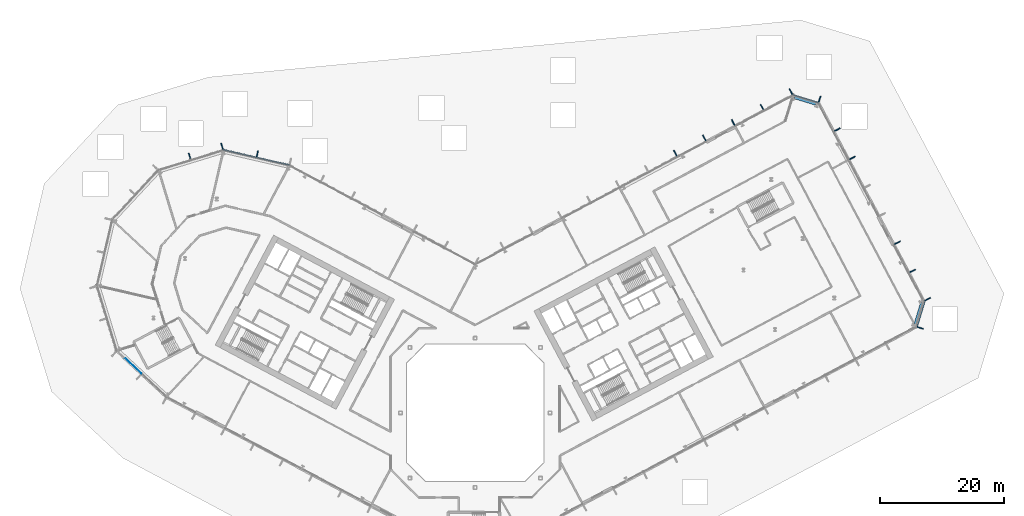
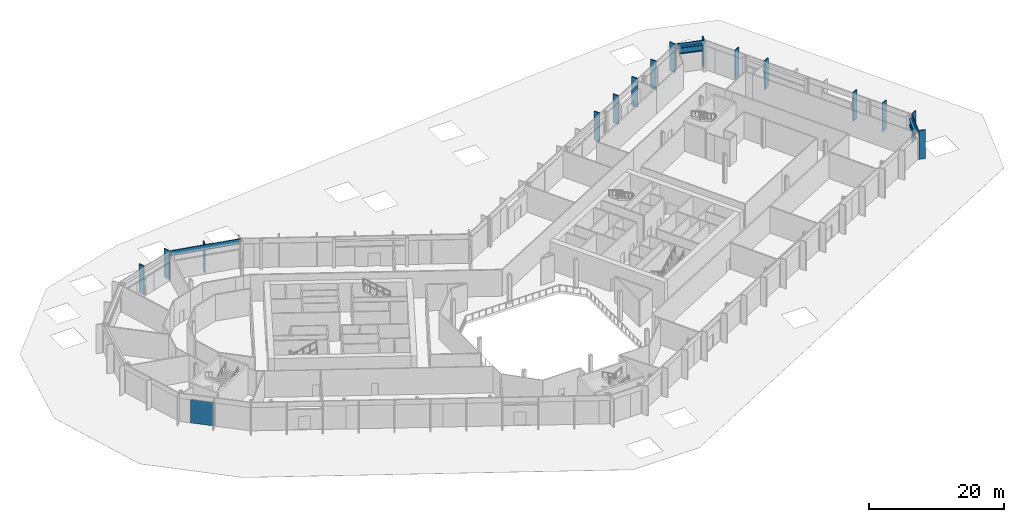
# One storey, part 8 of 30: 18 members, 2 beams, 1 plate, 7 elements without a shape of their own.
"""IFC4 building model written with IfcOpenShell, lengths in metres."""

from ifc_helpers import new_model, si_unit, direction, frame, origin, origin_2d, place, context, subcontext, project, spatial, rectangle, i_section, extrude, material, layer, layer_set, material_profile, profile_set, type_object, element, aggregate, save


model = new_model("IFC4")

# Units and contexts
model_context = context("Model", 3, precision=1e-05, world=origin(), true_north=direction((0.0, 1.0)))
body_context = subcontext(model_context, "Body", "Model", "MODEL_VIEW")
ifc_project = project(units=[si_unit("LENGTHUNIT", "METRE"), si_unit("AREAUNIT", "SQUARE_METRE"), si_unit("VOLUMEUNIT", "CUBIC_METRE"), si_unit("PLANEANGLEUNIT", "RADIAN"), si_unit("MASSUNIT", "GRAM", prefix="KILO")], contexts=[model_context])

# Site, building, storey
site_placement = place(None, origin())
site = spatial("IfcSite", under=ifc_project, at=site_placement, CompositionType="ELEMENT")
building_placement = place(site_placement, origin())
building = spatial("IfcBuilding", under=site, at=building_placement, Name="Cormorant Relay Tower", CompositionType="ELEMENT")
storey_placement = place(building_placement, frame((0.0, 0.0, 7.0)))
storey = spatial("IfcBuildingStorey", under=building, at=storey_placement, Name="L01", CompositionType="ELEMENT", Elevation=7.0)

# Curtain wall, member
ifc_material_1 = material(Name="Aluminium 6063-T6 anodised bronze", Category="aluminium")
ifc_layer_1 = layer(ifc_material_1, 0.235107421875)
ifc_layer_set_1 = layer_set([ifc_layer_1], Name="CW6 data hall curtain wall with mineral wool panels")
curtain_wall_type = type_object("IfcCurtainWallType", Name="CW6 data hall curtain wall with mineral wool panels", PredefinedType="NOTDEFINED", material=ifc_layer_set_1)
curtain_wall_1_placement = place(storey_placement, origin())
curtain_wall_1 = element("IfcCurtainWall", 1, at=curtain_wall_1_placement, inside=storey, type_object=curtain_wall_type, Name="CW6 curtain wall 3", PredefinedType="NOTDEFINED")
ifc_material_2 = material(Name="Aluminium 6063-T6 anodised bronze", Category="aluminium")
ifc_material_profile_1 = material_profile(ifc_material_2, rectangle(XDim=0.14990234375, YDim=1.0, at=origin_2d()), Name="AL 150x1000")
ifc_profile_set_1 = profile_set([ifc_material_profile_1], Name="Aluminium 6063-T6 anodised bronze")
member_type_1 = type_object("IfcMemberType", Name="CW6 bronze fin mullion 150 x 1000", PredefinedType="MULLION", material=ifc_profile_set_1)
member_1_placement = place(storey_placement, frame((71.485107421875, 13.63671875, 0.0), z_axis=(0.0, 0.0, 1.0), x_axis=(0.292371704723, 0.956304755963, 0.0)))
member_1 = element("IfcMember", 2, at=member_1_placement, type_object=member_type_1, Name="CW6 fin 3.1", PredefinedType="MULLION", context=body_context, shape_type="SweptSolid", body=[
    extrude(rectangle(XDim=0.14990234375, YDim=1.0, at=origin_2d()), origin(), (0.0, 0.0, 1.0), 5.199951171875),
])

# Curtain wall, members
curtain_wall_2_placement = place(storey_placement, origin())
curtain_wall_2 = element("IfcCurtainWall", 3, at=curtain_wall_2_placement, inside=storey, type_object=curtain_wall_type, Name="CW6 curtain wall 4", PredefinedType="NOTDEFINED")
member_2_placement = place(storey_placement, frame((72.671630859375, 18.25390625, 0.0), z_axis=(0.0, 0.0, 1.0), x_axis=(-0.469471562786, 0.882947592859, 0.0)))
member_2 = element("IfcMember", 4, at=member_2_placement, type_object=member_type_1, Name="CW6 fin 4.1", PredefinedType="MULLION", context=body_context, shape_type="SweptSolid", body=[
    extrude(rectangle(XDim=0.14990234375, YDim=1.0, at=origin_2d()), origin(), (0.0, 0.0, 1.0), 5.199951171875),
])
member_3_placement = place(storey_placement, frame((70.25732421875, 22.794921875, 0.0), z_axis=(0.0, 0.0, 1.0), x_axis=(-0.469471562786, 0.882947592859, 0.0)))
member_3 = element("IfcMember", 5, at=member_3_placement, type_object=member_type_1, Name="CW6 fin 4.2", PredefinedType="MULLION", context=body_context, shape_type="SweptSolid", body=[
    extrude(rectangle(XDim=0.14990234375, YDim=1.0, at=origin_2d()), origin(), (0.0, 0.0, 1.0), 5.199951171875),
])
member_4_placement = place(storey_placement, frame((67.8427734375, 27.335693359375, 0.0), z_axis=(0.0, 0.0, 1.0), x_axis=(-0.469471562786, 0.882947592859, 0.0)))
member_4 = element("IfcMember", 6, at=member_4_placement, type_object=member_type_1, Name="CW6 fin 4.3", PredefinedType="MULLION", context=body_context, shape_type="SweptSolid", body=[
    extrude(rectangle(XDim=0.14990234375, YDim=1.0, at=origin_2d()), origin(), (0.0, 0.0, 1.0), 5.199951171875),
])
member_5_placement = place(storey_placement, frame((60.599609375, 40.958251953125, 0.0), z_axis=(0.0, 0.0, 1.0), x_axis=(-0.469471562786, 0.882947592859, 0.0)))
member_5 = element("IfcMember", 7, at=member_5_placement, type_object=member_type_1, Name="CW6 fin 4.6", PredefinedType="MULLION", context=body_context, shape_type="SweptSolid", body=[
    extrude(rectangle(XDim=0.14990234375, YDim=1.0, at=origin_2d()), origin(), (0.0, 0.0, 1.0), 5.199951171875),
])
member_6_placement = place(storey_placement, frame((58.18505859375, 45.499267578125, 0.0), z_axis=(0.0, 0.0, 1.0), x_axis=(-0.469471562786, 0.882947592859, 0.0)))
member_6 = element("IfcMember", 8, at=member_6_placement, type_object=member_type_1, Name="CW6 fin 4.7", PredefinedType="MULLION", context=body_context, shape_type="SweptSolid", body=[
    extrude(rectangle(XDim=0.14990234375, YDim=1.0, at=origin_2d()), origin(), (0.0, 0.0, 1.0), 5.199951171875),
])
aggregate(curtain_wall_2, [member_2, member_3, member_4, member_5, member_6])

# Curtain wall, member
curtain_wall_3_placement = place(storey_placement, origin())
curtain_wall_3 = element("IfcCurtainWall", 9, at=curtain_wall_3_placement, inside=storey, type_object=curtain_wall_type, Name="CW6 curtain wall 5", PredefinedType="NOTDEFINED")
member_7_placement = place(storey_placement, frame((55.336669921875, 50.39794921875, 0.0), z_axis=(0.0, 0.0, 1.0), x_axis=(-0.956304755963, 0.292371704723, 0.0)))
member_7 = element("IfcMember", 10, at=member_7_placement, type_object=member_type_1, Name="CW6 fin 5.1", PredefinedType="MULLION", context=body_context, shape_type="SweptSolid", body=[
    extrude(rectangle(XDim=0.14990234375, YDim=1.0, at=origin_2d()), origin(), (0.0, 0.0, 1.0), 5.199951171875),
])

# Curtain wall, members
curtain_wall_4_placement = place(storey_placement, origin())
curtain_wall_4 = element("IfcCurtainWall", 11, at=curtain_wall_4_placement, inside=storey, type_object=curtain_wall_type, Name="CW6 curtain wall 6", PredefinedType="NOTDEFINED")
member_8_placement = place(storey_placement, frame((50.719482421875, 51.58447265625, 0.0), z_axis=(0.0, 0.0, 1.0), x_axis=(-0.882947592859, -0.469471562786, 0.0)))
member_8 = element("IfcMember", 12, at=member_8_placement, type_object=member_type_1, Name="CW6 fin 6.1", PredefinedType="MULLION", context=body_context, shape_type="SweptSolid", body=[
    extrude(rectangle(XDim=0.14990234375, YDim=1.0, at=origin_2d()), origin(), (0.0, 0.0, 1.0), 5.199951171875),
])
member_9_placement = place(storey_placement, frame((46.0771484375, 49.1162109375, 0.0), z_axis=(0.0, 0.0, 1.0), x_axis=(-0.882947592859, -0.469471562786, 0.0)))
member_9 = element("IfcMember", 13, at=member_9_placement, type_object=member_type_1, Name="CW6 fin 6.2", PredefinedType="MULLION", context=body_context, shape_type="SweptSolid", body=[
    extrude(rectangle(XDim=0.14990234375, YDim=1.0, at=origin_2d()), origin(), (0.0, 0.0, 1.0), 5.199951171875),
])
member_10_placement = place(storey_placement, frame((41.43505859375, 46.647705078125, 0.0), z_axis=(0.0, 0.0, 1.0), x_axis=(-0.882947592859, -0.469471562786, 0.0)))
member_10 = element("IfcMember", 14, at=member_10_placement, type_object=member_type_1, Name="CW6 fin 6.3", PredefinedType="MULLION", context=body_context, shape_type="SweptSolid", body=[
    extrude(rectangle(XDim=0.14990234375, YDim=1.0, at=origin_2d()), origin(), (0.0, 0.0, 1.0), 5.199951171875),
])
member_11_placement = place(storey_placement, frame((36.792724609375, 44.179443359375, 0.0), z_axis=(0.0, 0.0, 1.0), x_axis=(-0.882947592859, -0.469471562786, 0.0)))
member_11 = element("IfcMember", 15, at=member_11_placement, type_object=member_type_1, Name="CW6 fin 6.4", PredefinedType="MULLION", context=body_context, shape_type="SweptSolid", body=[
    extrude(rectangle(XDim=0.14990234375, YDim=1.0, at=origin_2d()), origin(), (0.0, 0.0, 1.0), 5.199951171875),
])
member_12_placement = place(storey_placement, frame((32.150390625, 41.711181640625, 0.0), z_axis=(0.0, 0.0, 1.0), x_axis=(-0.882947592859, -0.469471562786, 0.0)))
member_12 = element("IfcMember", 16, at=member_12_placement, type_object=member_type_1, Name="CW6 fin 6.5", PredefinedType="MULLION", context=body_context, shape_type="SweptSolid", body=[
    extrude(rectangle(XDim=0.14990234375, YDim=1.0, at=origin_2d()), origin(), (0.0, 0.0, 1.0), 5.199951171875),
])
aggregate(curtain_wall_4, [member_8, member_9, member_10, member_11, member_12])

# Curtain wall, member
curtain_wall_5_placement = place(storey_placement, origin())
curtain_wall_5 = element("IfcCurtainWall", 17, at=curtain_wall_5_placement, inside=storey, type_object=curtain_wall_type, Name="CW6 curtain wall 8", PredefinedType="NOTDEFINED")
member_13_placement = place(storey_placement, frame((-35.00439453125, 41.60693359375, 0.0), z_axis=(0.0, 0.0, 1.0), x_axis=(-0.974370064785, 0.224951054344, 0.0)))
member_13 = element("IfcMember", 18, at=member_13_placement, type_object=member_type_1, Name="CW6 fin 8.2", PredefinedType="MULLION", context=body_context, shape_type="SweptSolid", body=[
    extrude(rectangle(XDim=0.14990234375, YDim=1.0, at=origin_2d()), origin(), (0.0, 0.0, 1.0), 5.199951171875),
])

# Curtain wall, members
curtain_wall_6_placement = place(storey_placement, origin())
curtain_wall_6 = element("IfcCurtainWall", 19, at=curtain_wall_6_placement, inside=storey, type_object=curtain_wall_type, Name="CW6 curtain wall 9", PredefinedType="NOTDEFINED")
member_14_placement = place(storey_placement, frame((-40.680419921875, 42.81640625, 0.0), z_axis=(0.0, 0.0, 1.0), x_axis=(-0.956304755963, -0.292371704723, 0.0)))
member_14 = element("IfcMember", 20, at=member_14_placement, type_object=member_type_1, Name="CW6 fin 9.1", PredefinedType="MULLION", context=body_context, shape_type="SweptSolid", body=[
    extrude(rectangle(XDim=0.14990234375, YDim=1.0, at=origin_2d()), origin(), (0.0, 0.0, 1.0), 5.199951171875),
])
member_15_placement = place(storey_placement, frame((-45.878173828125, 41.227294921875, 0.0), z_axis=(0.0, 0.0, 1.0), x_axis=(-0.956304755963, -0.292371704723, 0.0)))
member_15 = element("IfcMember", 21, at=member_15_placement, type_object=member_type_1, Name="CW6 fin 9.2", PredefinedType="MULLION", context=body_context, shape_type="SweptSolid", body=[
    extrude(rectangle(XDim=0.14990234375, YDim=1.0, at=origin_2d()), origin(), (0.0, 0.0, 1.0), 5.199951171875),
])
aggregate(curtain_wall_6, [member_14, member_15])

# Member
ifc_material_3 = material(Name="Aluminium 6063-T6 anodised bronze", Category="aluminium")
ifc_material_profile_2 = material_profile(ifc_material_3, rectangle(XDim=0.159912109375, YDim=0.89990234375, at=origin_2d()), Name="AL 160x900")
ifc_profile_set_2 = profile_set([ifc_material_profile_2], Name="Aluminium 6063-T6 anodised bronze")
member_type_2 = type_object("IfcMemberType", Name="CW6 bronze transom 160 x 900", PredefinedType="USERDEFINED", material=ifc_profile_set_2)
member_16_placement = place(storey_placement, frame((70.930419921875, 13.806396484375, 4.75), z_axis=(0.292391046905, 0.95629884225, 0.0), x_axis=(-0.95629884225, 0.292391046905, 0.0)))
member_16 = element("IfcMember", 22, at=member_16_placement, type_object=member_type_2, Name="CW6 transom 3", ObjectType="TRANSOM", PredefinedType="USERDEFINED", context=body_context, shape_type="SweptSolid", body=[
    extrude(rectangle(XDim=0.159912109375, YDim=0.89990234375, at=origin_2d()), origin(), (0.0, 0.0, 1.0), 4.242431640625),
])

aggregate(curtain_wall_1, [member_1, member_16])

member_17_placement = place(storey_placement, frame((55.1669921875, 49.84326171875, 4.75), z_axis=(-0.95629884225, 0.292391046905, 0.0), x_axis=(-0.292391046905, -0.95629884225, 0.0)))
member_17 = element("IfcMember", 23, at=member_17_placement, type_object=member_type_2, Name="CW6 transom 5", ObjectType="TRANSOM", PredefinedType="USERDEFINED", context=body_context, shape_type="SweptSolid", body=[
    extrude(rectangle(XDim=0.159912109375, YDim=0.89990234375, at=origin_2d()), origin(), (0.0, 0.0, 1.0), 4.242431640625),
])

aggregate(curtain_wall_3, [member_7, member_17])

member_18_placement = place(storey_placement, frame((-29.8388671875, 39.819091796875, 4.75), z_axis=(-0.974369993916, 0.22495136131, 0.0), x_axis=(-0.22495136131, -0.974369993916, 0.0)))
member_18 = element("IfcMember", 24, at=member_18_placement, type_object=member_type_2, Name="CW6 transom 8", ObjectType="TRANSOM", PredefinedType="USERDEFINED", context=body_context, shape_type="SweptSolid", body=[
    extrude(rectangle(XDim=0.159912109375, YDim=0.89990234375, at=origin_2d()), origin(), (0.0, 0.0, 1.0), 10.870361328125),
])

aggregate(curtain_wall_5, [member_13, member_18])

# Beams
ifc_material_4 = material(Name="Steel ASTM A992 (Fy 345 MPa)", Category="steel")
ifc_material_profile_3 = material_profile(ifc_material_4, i_section(OverallWidth=0.408935546875, OverallDepth=1.137939453125, WebThickness=0.031005859375, FlangeThickness=0.05517578125, FilletRadius=0.02001953125, at=origin_2d()), Name="W1100x607")
ifc_profile_set_3 = profile_set([ifc_material_profile_3], Name="Steel ASTM A992 (Fy 345 MPa)")
beam_type = type_object("IfcBeamType", Name="Spandrel W1100x607", PredefinedType="SPANDREL", material=ifc_profile_set_3)
beam_1_placement = place(storey_placement, frame((70.697998046875, 14.275390625, 4.18115234375), z_axis=(0.292400100269, 0.956296074112, 0.0), x_axis=(-0.956296074112, 0.292400100269, 0.0)))
element("IfcBeam", 25, at=beam_1_placement, inside=storey, type_object=beam_type, Name="Spandrel beam L01-003", PredefinedType="SPANDREL", context=body_context, shape_type="SweptSolid", body=[
    extrude(i_section(OverallWidth=0.408935546875, OverallDepth=1.137939453125, WebThickness=0.031005859375, FlangeThickness=0.05517578125, FilletRadius=0.02001953125, at=origin_2d()), origin(), (0.0, 0.0, 1.0), 3.552734375),
])
beam_2_placement = place(storey_placement, frame((54.697998046875, 49.61083984375, 4.18115234375), z_axis=(-0.956309414252, 0.292356467713, 0.0), x_axis=(-0.292356467713, -0.956309414252, 0.0)))
element("IfcBeam", 26, at=beam_2_placement, inside=storey, type_object=beam_type, Name="Spandrel beam L01-005", PredefinedType="SPANDREL", context=body_context, shape_type="SweptSolid", body=[
    extrude(i_section(OverallWidth=0.408935546875, OverallDepth=1.137939453125, WebThickness=0.031005859375, FlangeThickness=0.05517578125, FilletRadius=0.02001953125, at=origin_2d()), origin(), (0.0, 0.0, 1.0), 3.552490234375),
])

# Curtain wall, plate
curtain_wall_7_placement = place(storey_placement, origin())
curtain_wall_7 = element("IfcCurtainWall", 27, at=curtain_wall_7_placement, inside=storey, type_object=curtain_wall_type, Name="CW6 curtain wall 13", PredefinedType="NOTDEFINED")
ifc_material_5 = material(Name="Tinted triple-glazed laminated unit")
ifc_layer_2 = layer(ifc_material_5, 0.074951171875)
ifc_layer_set_2 = layer_set([ifc_layer_2], Name="CW6 triple-glazed vision unit 3600 module")
plate_type = type_object("IfcPlateType", Name="CW6 triple-glazed vision unit 3600 module", PredefinedType="CURTAIN_PANEL", material=ifc_layer_set_2)
plate_placement = place(storey_placement, frame((-54.96337890625, 7.54248046875, 0.0), z_axis=(0.0, 0.0, 1.0), x_axis=(0.731353701619, -0.681998360062, 0.0)))
plate = element("IfcPlate", 28, at=plate_placement, type_object=plate_type, Name="CW6 panel V01", PredefinedType="CURTAIN_PANEL", context=body_context, shape_type="SweptSolid", body=[
    extrude(rectangle(XDim=3.60009765625, YDim=0.074951171875, at=origin_2d()), origin(), (0.0, 0.0, 1.0), 4.300048828125),
])
aggregate(curtain_wall_7, [plate])

save(model, "model.ifc")
